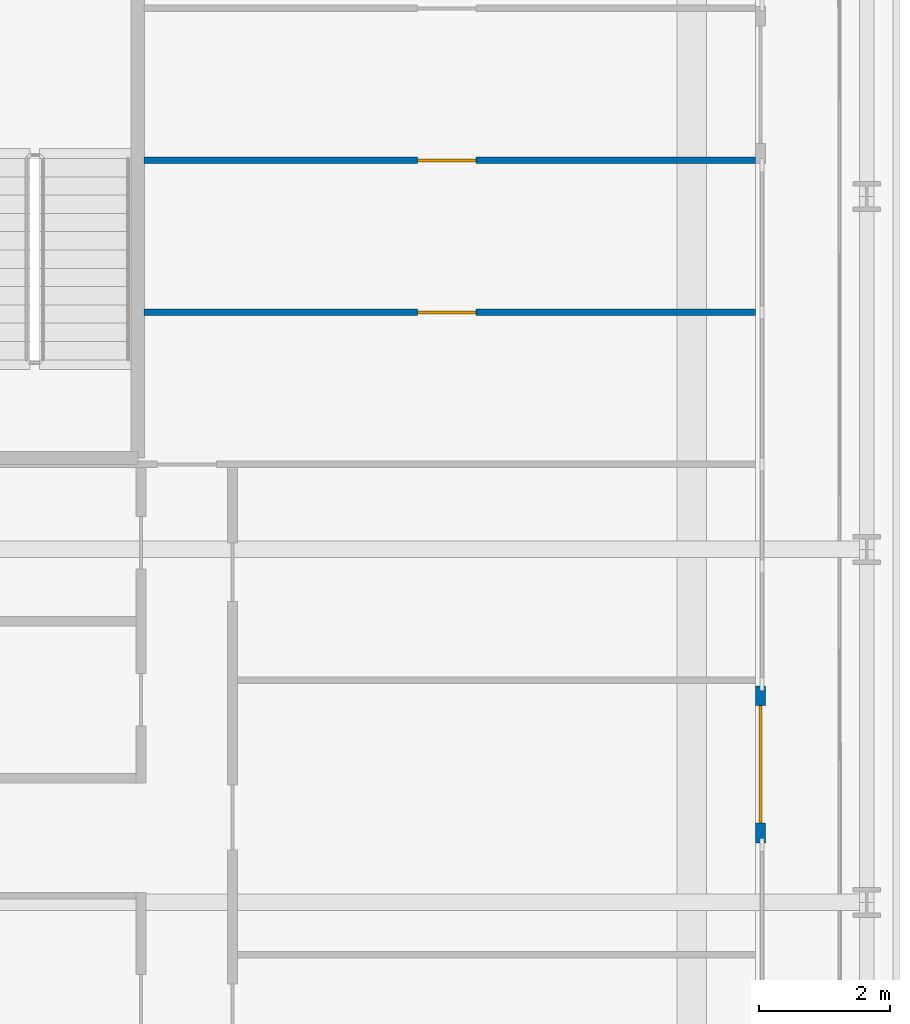
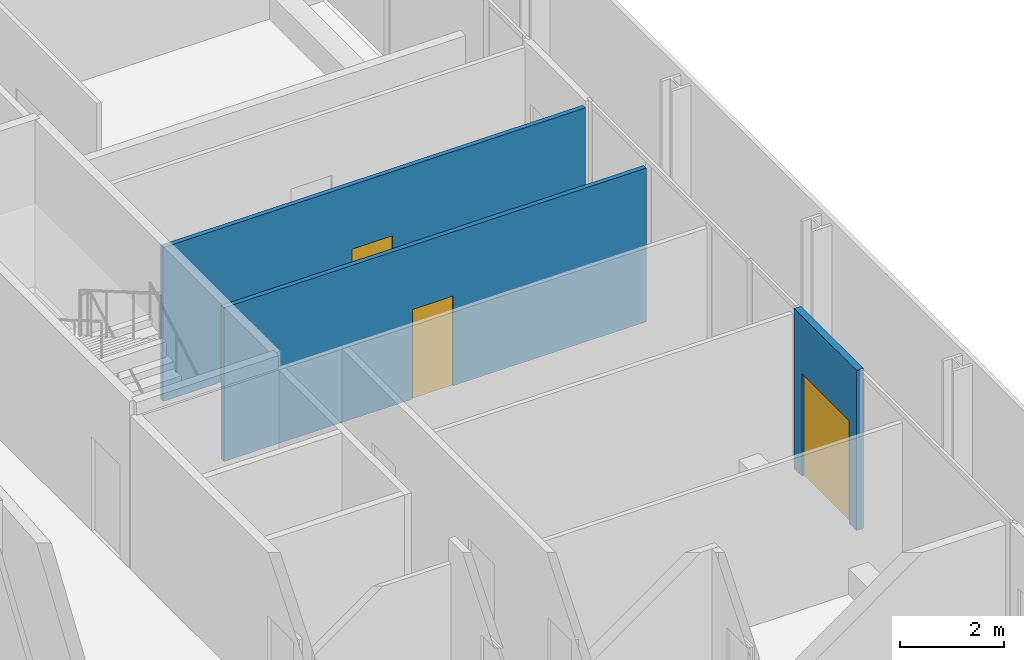
# One storey, part 18 of 28: 3 doors, 3 walls, 3 openings.
"""IFC4 building model written with IfcOpenShell, lengths in metres."""

import ifcopenshell
import ifcopenshell.guid

model = None  # the IFC model being written
_history = None  # IfcOwnerHistory: only IFC2X3 demands one
_inside = {}  # id of a spatial element -> (the spatial element, [elements in it])
_under = {}  # id of a project, library or spatial element -> (it, [spatial elements below it])
_declared = {}  # id of a project -> (the project, [libraries it declares])
_typed = {}  # id of a type object -> (the type object, [elements of that type])
_made_of = {}  # id of a material, layer set ... -> (it, [elements and type objects made of it])


def new_model(schema):
    """Start an empty IFC model of exactly this schema.

    Asked for "IFC4X3", IfcOpenShell would pick the latest addendum, in which some entities
    have other attributes; the version numbers below select the first issue.
    IFC2X3 requires an IfcOwnerHistory on every rooted entity: one is made here for all.
    """
    global model, _history
    if schema == "IFC4X3":
        model = ifcopenshell.file(schema_version=(4, 3, 0, 0))
    else:
        model = ifcopenshell.file(schema=schema)
    _inside.clear()
    _under.clear()
    _declared.clear()
    _typed.clear()
    _made_of.clear()
    _history = None
    if model.schema == "IFC2X3":
        org = make("IfcOrganization", Name="unknown")
        user = make(
            "IfcPersonAndOrganization",
            ThePerson=make("IfcPerson", FamilyName="unknown"),
            TheOrganization=org,
        )
        app = make(
            "IfcApplication",
            ApplicationDeveloper=org,
            Version="unknown",
            ApplicationFullName="unknown",
            ApplicationIdentifier="unknown",
        )
        _history = make(
            "IfcOwnerHistory",
            OwningUser=user,
            OwningApplication=app,
            ChangeAction="ADDED",
            CreationDate=0,
        )
    return model


def make(cls, **values):
    """One entity of the class cls with the attributes given. An attribute that is None is left unset."""
    return model.create_entity(
        cls, **{name: value for name, value in values.items() if value is not None}
    )


def rooted(cls, **values):
    """An entity with a GlobalId (a new one), such as an element, a storey or a relation."""
    return make(cls, GlobalId=ifcopenshell.guid.new(), OwnerHistory=_history, **values)


def si_unit(unit_type, name, prefix=None):
    """IfcSIUnit, for example si_unit("LENGTHUNIT", "METRE", prefix="MILLI")."""
    return make("IfcSIUnit", UnitType=unit_type, Prefix=prefix, Name=name)


def assignment(units):
    """IfcUnitAssignment: the units of a project."""
    return None if units is None else make("IfcUnitAssignment", Units=units)


def point(xyz):
    """IfcCartesianPoint."""
    return None if xyz is None else make("IfcCartesianPoint", Coordinates=xyz)


def direction(xyz):
    """IfcDirection."""
    return None if xyz is None else make("IfcDirection", DirectionRatios=xyz)


def frame(location, z_axis=None, x_axis=None):
    """IfcAxis2Placement3D, a coordinate frame: its origin and axes. An axis left out is left unset."""
    return make(
        "IfcAxis2Placement3D",
        Location=point(location),
        Axis=direction(z_axis),
        RefDirection=direction(x_axis),
    )


def frame_2d(location, x_axis=None):
    """IfcAxis2Placement2D, a coordinate frame in the plane: its origin and x axis."""
    return make(
        "IfcAxis2Placement2D", Location=point(location), RefDirection=direction(x_axis)
    )


def origin():
    """The frame at (0, 0, 0) with its axes left unset."""
    return frame((0.0, 0.0, 0.0))


def place(relative_to, where):
    """IfcLocalPlacement: puts the frame where relative to a parent placement (None: the world)."""
    return make(
        "IfcLocalPlacement", PlacementRelTo=relative_to, RelativePlacement=where
    )


def context(
    kind, dimensions, precision=None, world=None, true_north=None, identifier=None
):
    """IfcGeometricRepresentationContext, for example the 3D "Model" context."""
    return make(
        "IfcGeometricRepresentationContext",
        ContextIdentifier=identifier,
        ContextType=kind,
        CoordinateSpaceDimension=dimensions,
        Precision=precision,
        WorldCoordinateSystem=world,
        TrueNorth=true_north,
    )


def subcontext(parent, identifier, kind, view, scale=None):
    """IfcGeometricRepresentationSubContext, for example "Body" below "Model"."""
    return make(
        "IfcGeometricRepresentationSubContext",
        ContextIdentifier=identifier,
        ContextType=kind,
        ParentContext=parent,
        TargetScale=scale,
        TargetView=view,
    )


def project(units=None, contexts=None):
    """IfcProject with its units and contexts."""
    return rooted(
        "IfcProject",
        Name="project",
        RepresentationContexts=contexts,
        UnitsInContext=assignment(units),
    )


def spatial(cls, under=None, at=None, **own):
    """A site, building, storey or space (cls), placed at a placement, below another one or the project."""
    s = rooted(cls, ObjectPlacement=at, **own)
    if under is not None:
        _under.setdefault(under.id(), (under, []))[1].append(s)
    return s


def profile(cls, at=None, kind="AREA", **sizes):
    """A parametric profile (cls). Its sizes go by their IFC names, for example OverallWidth=200.0."""
    return make(cls, ProfileType=kind, Position=at, **sizes)


def rectangle(**sizes):
    """IfcRectangleProfileDef."""
    return profile("IfcRectangleProfileDef", **sizes)


def extrude(swept, where, along, depth):
    """IfcExtrudedAreaSolid: the profile swept, set in the frame where, extruded along a direction by depth."""
    return make(
        "IfcExtrudedAreaSolid",
        SweptArea=swept,
        Position=where,
        ExtrudedDirection=direction(along),
        Depth=depth,
    )


def shape(context_of_items, identifier, shape_type, items):
    """IfcShapeRepresentation: the items that make up one representation, for example the "Body"."""
    return make(
        "IfcShapeRepresentation",
        ContextOfItems=context_of_items,
        RepresentationIdentifier=identifier,
        RepresentationType=shape_type,
        Items=items,
    )


def source(mapping_origin, context_of_items, identifier, shape_type, items):
    """IfcRepresentationMap: a shape defined once, which mapped items show again and again."""
    return make(
        "IfcRepresentationMap",
        MappingOrigin=mapping_origin,
        MappedRepresentation=shape(context_of_items, identifier, shape_type, items),
    )


def transform(
    local_origin,
    x_axis=None,
    y_axis=None,
    z_axis=None,
    scale=None,
    scale2=None,
    scale3=None,
    uniform=True,
):
    """IfcCartesianTransformationOperator3D, or its non-uniform kind. x_axis, y_axis, z_axis: its Axis1, 2, 3."""
    if uniform:
        return make(
            "IfcCartesianTransformationOperator3D",
            Axis1=direction(x_axis),
            Axis2=direction(y_axis),
            LocalOrigin=point(local_origin),
            Scale=scale,
            Axis3=direction(z_axis),
        )
    return make(
        "IfcCartesianTransformationOperator3DnonUniform",
        Axis1=direction(x_axis),
        Axis2=direction(y_axis),
        LocalOrigin=point(local_origin),
        Scale=scale,
        Axis3=direction(z_axis),
        Scale2=scale2,
        Scale3=scale3,
    )


def mapped(mapping_source, mapping_target):
    """IfcMappedItem: shows the shape of a source again, moved by a transform."""
    return make(
        "IfcMappedItem", MappingSource=mapping_source, MappingTarget=mapping_target
    )


def material(Name=None, Category=None):
    """IfcMaterial."""
    return make("IfcMaterial", Name=Name, Category=Category)


def layer(
    of_material, thickness, ventilated=None, Name=None, Category=None, Priority=None
):
    """IfcMaterialLayer: one layer of a wall or slab, of a material (None: an air gap)."""
    return make(
        "IfcMaterialLayer",
        Material=of_material,
        LayerThickness=thickness,
        IsVentilated=ventilated,
        Name=Name,
        Category=Category,
        Priority=Priority,
    )


def layer_set(layers, Name=None):
    """IfcMaterialLayerSet."""
    return make("IfcMaterialLayerSet", MaterialLayers=layers, LayerSetName=Name)


def made_of(thing, what):
    """Note that an element or type object is made of a material, layer set ...; save() writes the relation."""
    if what is not None:
        _made_of.setdefault(what.id(), (what, []))[1].append(thing)
    return thing


def type_object(cls, material=None, **own):
    """A type object (cls), such as IfcWallType, which elements share."""
    return made_of(rooted(cls, **own), material)


def element(
    cls,
    number,
    at=None,
    inside=None,
    cuts=None,
    type_object=None,
    material=None,
    context=None,
    identifier="Body",
    shape_type=None,
    held_by="IfcProductDefinitionShape",
    body=None,
    shapes=None,
    **own,
):
    """One element of the class cls, such as IfcWall. Its Tag is "e" and its number.

    at: its placement. inside: the storey or other place that contains it. cuts: it is an
    opening in that element (IfcRelVoidsElement). A single representation is given by context,
    identifier, shape_type and body (its items); several are given by shapes. held_by: the class
    of the entity that holds the representations. save() writes the other relations.
    """
    e = rooted(cls, Tag="e%d" % number, ObjectPlacement=at, **own)
    if body is not None:
        shapes = [shape(context, identifier, shape_type, body)]
    if shapes is not None:
        e.Representation = make(held_by, Representations=shapes)
    if inside is not None:
        _inside.setdefault(inside.id(), (inside, []))[1].append(e)
    if cuts is not None:
        rooted(
            "IfcRelVoidsElement", RelatingBuildingElement=cuts, RelatedOpeningElement=e
        )
    if type_object is not None:
        _typed.setdefault(type_object.id(), (type_object, []))[1].append(e)
    return made_of(e, material)


def fill(opening, filler):
    """IfcRelFillsElement: the door or window that sits in an opening."""
    return rooted(
        "IfcRelFillsElement",
        RelatingOpeningElement=opening,
        RelatedBuildingElement=filler,
    )


def aggregate(whole, parts):
    """IfcRelAggregates: a whole, such as a stair, and the parts it consists of."""
    return rooted("IfcRelAggregates", RelatingObject=whole, RelatedObjects=parts)


def save(model, path):
    """Write the relations noted so far, then the file.

    IfcRelAggregates (storeys below a building ...), IfcRelContainedInSpatialStructure (elements
    in a storey), IfcRelDefinesByType, IfcRelAssociatesMaterial and IfcRelDeclares: one each for
    every whole, place, type object, material and project.
    """
    for whole, parts in _under.values():
        aggregate(whole, parts)
    for where, things in _inside.values():
        rooted(
            "IfcRelContainedInSpatialStructure",
            RelatedElements=things,
            RelatingStructure=where,
        )
    for kind, things in _typed.values():
        rooted("IfcRelDefinesByType", RelatedObjects=things, RelatingType=kind)
    for what, things in _made_of.values():
        rooted("IfcRelAssociatesMaterial", RelatedObjects=things, RelatingMaterial=what)
    for by, libraries in _declared.values():
        rooted("IfcRelDeclares", RelatingContext=by, RelatedDefinitions=libraries)
    model.write(path)


model = new_model("IFC4")

# Units and contexts
model_context = context("Model", 3, precision=1e-05, world=origin(), true_north=direction((0.0, 1.0)))
body_context = subcontext(model_context, "Body", "Model", "MODEL_VIEW")
ifc_project = project(units=[si_unit("LENGTHUNIT", "METRE"), si_unit("AREAUNIT", "SQUARE_METRE"), si_unit("VOLUMEUNIT", "CUBIC_METRE"), si_unit("PLANEANGLEUNIT", "RADIAN"), si_unit("MASSUNIT", "GRAM", prefix="KILO")], contexts=[model_context])

# Site, building, storey
site_placement = place(None, origin())
site = spatial("IfcSite", under=ifc_project, at=site_placement, CompositionType="ELEMENT")
building_placement = place(site_placement, origin())
building = spatial("IfcBuilding", under=site, at=building_placement, Name="Kheshtan School and Residences Tower", CompositionType="ELEMENT")
storey_placement = place(building_placement, frame((0.0, 0.0, 140.89990234375)))
storey = spatial("IfcBuildingStorey", under=building, at=storey_placement, Name="L33", CompositionType="ELEMENT", Elevation=140.89990234375)

# Wall, opening, door
ifc_material_1 = material(Name="Aluminium frame wall with insulated infill", Category="aluminium")
ifc_layer_1 = layer(ifc_material_1, 0.14990234375)
ifc_layer_set_1 = layer_set([ifc_layer_1], Name="Glazing frame wall 150")
wall_type_1 = type_object("IfcWallType", Name="Glazing frame wall 150", PredefinedType="SOLIDWALL", material=ifc_layer_set_1)
wall_1_placement = place(storey_placement, frame((45.97509765625, 75.912109375, 0.0), z_axis=(0.0, 0.0, 1.0), x_axis=(0.0, -1.0, 0.0)))
wall_1 = element("IfcWall", 1, at=wall_1_placement, inside=storey, type_object=wall_type_1, Name="Balcony door wall L33 8.3", PredefinedType="SOLIDWALL", context=body_context, shape_type="SweptSolid", body=[
    extrude(rectangle(XDim=2.400146484375, YDim=0.14990234375, at=frame_2d((1.2001953125, 0.0))), origin(), (0.0, 0.0, 1.0), 3.75),
])
opening_1_placement = place(wall_1_placement, frame((0.300048828125, 0.0, 0.0)))
opening_1 = element("IfcOpeningElement", 2, at=opening_1_placement, cuts=wall_1, Name="Opening BD", PredefinedType="OPENING", context=body_context, shape_type="SweptSolid", body=[
    extrude(rectangle(XDim=1.800048828125, YDim=2.39990234375, at=frame_2d((0.89990234375, 1.199951171875))), frame((0.0, 0.0849609375, 0.0), z_axis=(0.0, -1.0, 0.0), x_axis=(1.0, 0.0, 0.0)), (0.0, 0.0, 1.0), 0.169921875),
])
ifc_material_2 = material(Name="Clear low-e glass in thermally broken aluminium frame", Category="aluminium")
door_type_1 = type_object("IfcDoorType", Name="Balcony sliding door", OperationType="SLIDING_TO_LEFT", PredefinedType="DOOR", material=ifc_material_2)
shared_shape_1 = source(origin(), body_context, "Body", "SweptSolid", [
    extrude(rectangle(XDim=1.800048828125, YDim=2.39990234375, at=frame_2d((0.89990234375, 1.199951171875))), frame((0.0, 0.02490234375, 0.0), z_axis=(0.0, -1.0, 0.0), x_axis=(1.0, 0.0, 0.0)), (0.0, 0.0, 1.0), 0.050048828125),
])
door_1_placement = place(opening_1_placement, origin())
door_1 = element("IfcDoor", 3, at=door_1_placement, inside=storey, type_object=door_type_1, Name="Balcony door L33 8.3", OperationType="SLIDING_TO_LEFT", OverallHeight=2.39990234375, OverallWidth=1.800048828125, PredefinedType="DOOR", context=body_context, shape_type="MappedRepresentation", body=[
    mapped(shared_shape_1, transform((0.0, 0.0, 0.0), x_axis=(1.0, 0.0, 0.0), y_axis=(0.0, 1.0, 0.0), z_axis=(0.0, 0.0, 1.0), scale=1.0)),
])
fill(opening_1, door_1)

ifc_material_3 = material(Name="Gypsum board on steel studs", Category="steel")
ifc_layer_2 = layer(ifc_material_3, 0.10009765625)
ifc_layer_set_2 = layer_set([ifc_layer_2], Name="Gypsum partition 100")
wall_type_2 = type_object("IfcWallType", Name="Gypsum partition 100", PredefinedType="PARTITIONING", material=ifc_layer_set_2)
wall_2_placement = place(storey_placement, frame((36.549072265625, 81.625, 0.0), z_axis=(0.0, 0.0, 1.0), x_axis=(1.0, 0.0, 0.0)))
wall_2 = element("IfcWall", 4, at=wall_2_placement, inside=storey, type_object=wall_type_2, Name="Partition L33-027", PredefinedType="PARTITIONING", context=body_context, shape_type="SweptSolid", body=[
    extrude(rectangle(XDim=9.350830078125, YDim=0.10009765625, at=frame_2d((4.67529296875, 0.0))), origin(), (0.0, 0.0, 1.0), 3.60009765625),
])
opening_2_placement = place(wall_2_placement, frame((4.176025390625, 0.0, 0.0)))
opening_2 = element("IfcOpeningElement", 5, at=opening_2_placement, cuts=wall_2, Name="Opening D32-054", PredefinedType="OPENING", context=body_context, shape_type="SweptSolid", body=[
    extrude(rectangle(XDim=0.89990234375, YDim=2.10009765625, at=frame_2d((0.449951171875, 1.050048828125))), frame((0.0, 0.06005859375, 0.0), z_axis=(0.0, -1.0, 0.0), x_axis=(1.0, 0.0, 0.0)), (0.0, 0.0, 1.0), 0.1201171875),
])
ifc_material_4 = material(Name="Veneered timber door leaf", Category="wood")
door_type_2 = type_object("IfcDoorType", Name="Door 900 x 2100", OperationType="SINGLE_SWING_LEFT", PredefinedType="DOOR", material=ifc_material_4)
shared_shape_2 = source(origin(), body_context, "Body", "SweptSolid", [
    extrude(rectangle(XDim=0.89990234375, YDim=2.10009765625, at=frame_2d((0.449951171875, 1.050048828125))), frame((0.0, 0.02490234375, 0.0), z_axis=(0.0, -1.0, 0.0), x_axis=(1.0, 0.0, 0.0)), (0.0, 0.0, 1.0), 0.050048828125),
])
door_2_placement = place(opening_2_placement, origin())
door_2 = element("IfcDoor", 6, at=door_2_placement, inside=storey, type_object=door_type_2, Name="Door D32-054", OperationType="SINGLE_SWING_RIGHT", OverallHeight=2.10009765625, OverallWidth=0.89990234375, PredefinedType="DOOR", context=body_context, shape_type="MappedRepresentation", body=[
    mapped(shared_shape_2, transform((0.0, 0.0, 0.0), x_axis=(1.0, 0.0, 0.0), y_axis=(0.0, 1.0, 0.0), z_axis=(0.0, 0.0, 1.0), scale=1.0)),
])
fill(opening_2, door_2)

wall_3_placement = place(storey_placement, frame((36.549072265625, 83.949951171875, 0.0), z_axis=(0.0, 0.0, 1.0), x_axis=(1.0, 0.0, 0.0)))
wall_3 = element("IfcWall", 7, at=wall_3_placement, inside=storey, type_object=wall_type_2, Name="Partition L33-028", PredefinedType="PARTITIONING", context=body_context, shape_type="SweptSolid", body=[
    extrude(rectangle(XDim=9.350830078125, YDim=0.10009765625, at=frame_2d((4.67529296875, 0.0))), origin(), (0.0, 0.0, 1.0), 3.60009765625),
])
opening_3_placement = place(wall_3_placement, frame((4.176025390625, 0.0, 0.0)))
opening_3 = element("IfcOpeningElement", 8, at=opening_3_placement, cuts=wall_3, Name="Opening D32-055", PredefinedType="OPENING", context=body_context, shape_type="SweptSolid", body=[
    extrude(rectangle(XDim=0.89990234375, YDim=2.10009765625, at=frame_2d((0.449951171875, 1.050048828125))), frame((0.0, 0.06005859375, 0.0), z_axis=(0.0, -1.0, 0.0), x_axis=(1.0, 0.0, 0.0)), (0.0, 0.0, 1.0), 0.1201171875),
])
door_3_placement = place(opening_3_placement, origin())
door_3 = element("IfcDoor", 9, at=door_3_placement, inside=storey, type_object=door_type_2, Name="Door D32-055", OperationType="SINGLE_SWING_RIGHT", OverallHeight=2.10009765625, OverallWidth=0.89990234375, PredefinedType="DOOR", context=body_context, shape_type="MappedRepresentation", body=[
    mapped(shared_shape_2, transform((0.0, 0.0, 0.0), x_axis=(1.0, 0.0, 0.0), y_axis=(0.0, 1.0, 0.0), z_axis=(0.0, 0.0, 1.0), scale=1.0)),
])
fill(opening_3, door_3)

save(model, "model.ifc")
